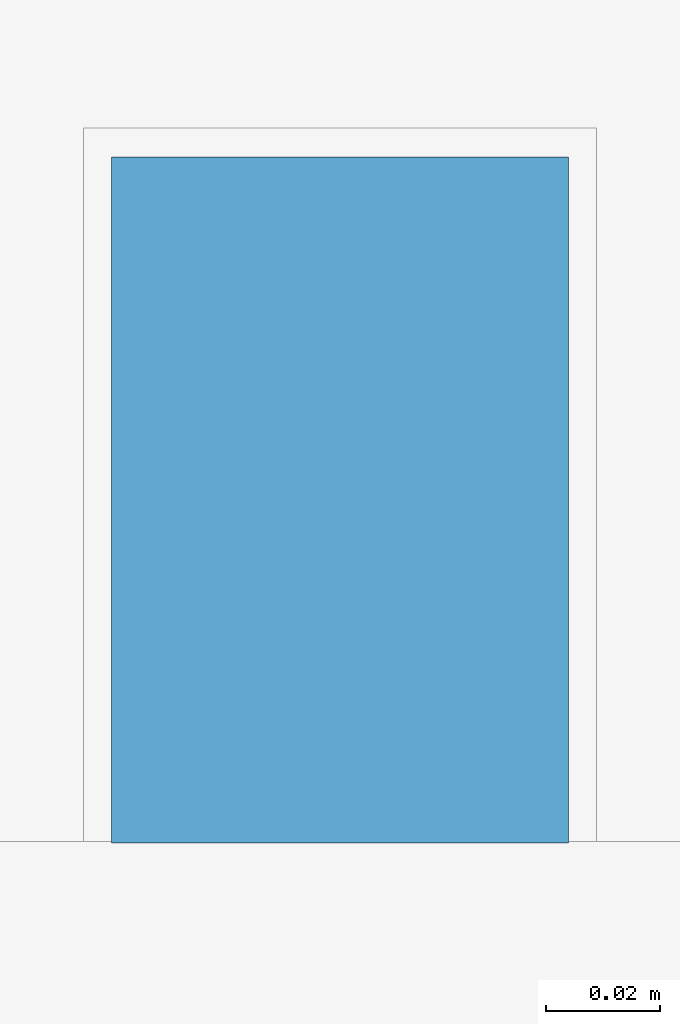
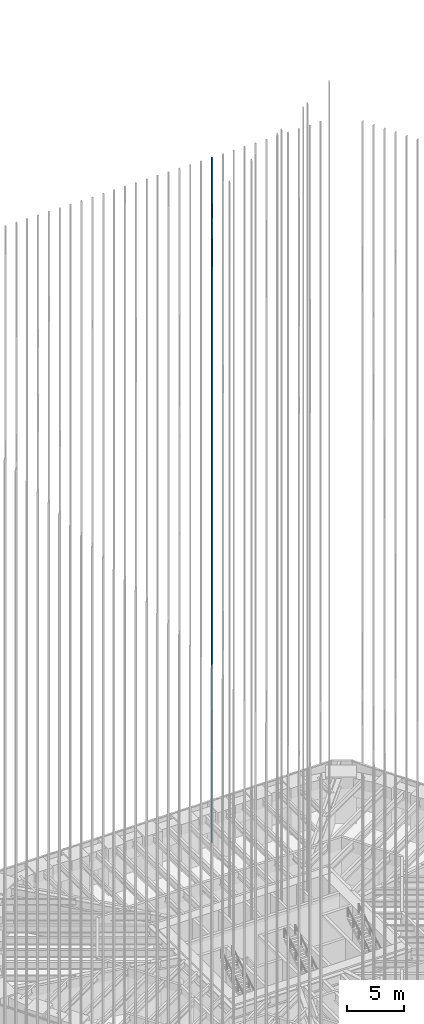
# One storey, part 203 of 228: 1 member, 1 element without a shape of its own.
"""IFC4 building model written with IfcOpenShell, lengths in metres."""

from ifc_helpers import new_model, si_unit, direction, frame, origin, origin_2d, place, context, subcontext, project, spatial, rectangle, extrude, material, material_profile, profile_set, type_object, element, aggregate, save


model = new_model("IFC4")

# Units and contexts
model_context = context("Model", 3, precision=1e-05, world=origin(), true_north=direction((0.0, 1.0)))
body_context = subcontext(model_context, "Body", "Model", "MODEL_VIEW")
ifc_project = project(units=[si_unit("LENGTHUNIT", "METRE"), si_unit("AREAUNIT", "SQUARE_METRE"), si_unit("VOLUMEUNIT", "CUBIC_METRE"), si_unit("PLANEANGLEUNIT", "RADIAN"), si_unit("MASSUNIT", "GRAM", prefix="KILO")], contexts=[model_context])

# Site, building, storey
site_placement = place(None, origin())
site = spatial("IfcSite", under=ifc_project, at=site_placement, CompositionType="ELEMENT")
building_placement = place(site_placement, origin())
building = spatial("IfcBuilding", under=site, at=building_placement, Name="Sandreach Pilgrim Tower", CompositionType="ELEMENT")
storey_placement = place(building_placement, frame((0.0, 0.0, 178.199951171875)))
storey = spatial("IfcBuildingStorey", under=building, at=storey_placement, Name="L44", CompositionType="ELEMENT", Elevation=178.199951171875)

# Curtain wall, member
ifc_material_1 = material(Name="Aluminium framed curtain wall", Category="aluminium")
curtain_wall_type = type_object("IfcCurtainWallType", Name="Upper hotel tower curtain wall", PredefinedType="NOTDEFINED", material=ifc_material_1)
curtain_wall_placement = place(storey_placement, origin())
curtain_wall = element("IfcCurtainWall", 1, at=curtain_wall_placement, inside=storey, type_object=curtain_wall_type, Name="CW-3 L44 N", PredefinedType="NOTDEFINED")
ifc_material_2 = material(Name="Extruded terracotta on aluminium core", Category="masonry")
ifc_material_profile = material_profile(ifc_material_2, rectangle(XDim=0.080078125, YDim=0.1201171875, at=origin_2d()), Name="TBN 80X120")
ifc_profile_set = profile_set([ifc_material_profile], Name="Extruded terracotta on aluminium core")
member_type = type_object("IfcMemberType", Name="Terracotta baguette north", PredefinedType="USERDEFINED", material=ifc_profile_set)
member_placement = place(storey_placement, frame((5.499267578125, 21.52001953125, 0.0), z_axis=(0.0, 0.0, 1.0), x_axis=(1.0, 0.0, 0.0)))
member = element("IfcMember", 2, at=member_placement, type_object=member_type, Name="Baguette Z3 N21", ObjectType="BAGUETTE", PredefinedType="USERDEFINED", context=body_context, shape_type="SweptSolid", body=[
    extrude(rectangle(XDim=0.080078125, YDim=0.1201171875, at=origin_2d()), origin(), (0.0, 0.0, 1.0), 73.239990234375),
])
aggregate(curtain_wall, [member])

save(model, "model.ifc")
